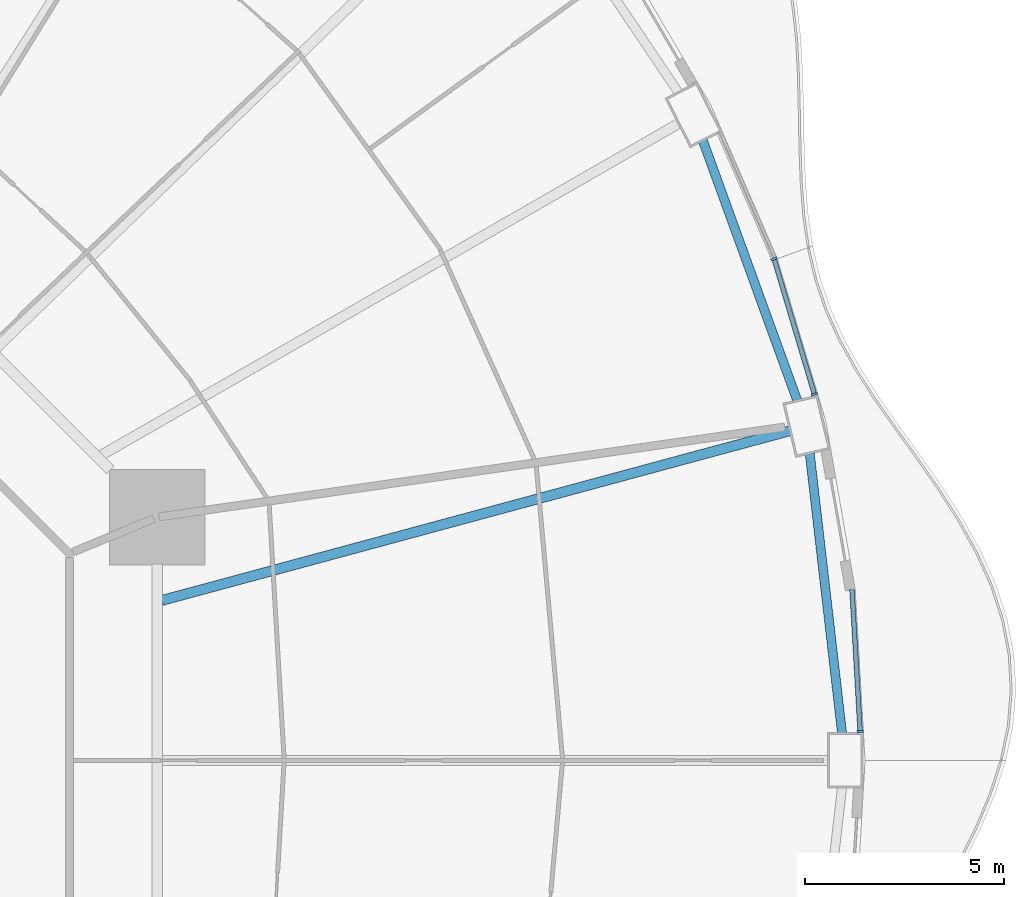
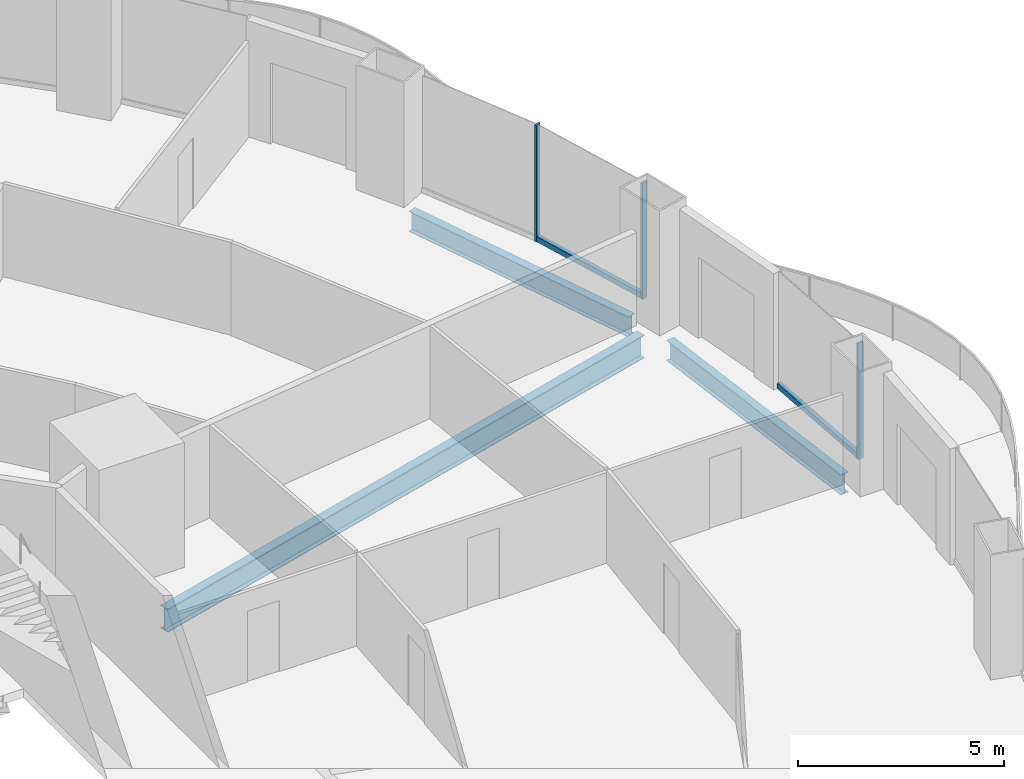
# One storey, part 9 of 22: 5 members, 3 beams, 3 elements without a shape of their own.
"""IFC4 building model written with IfcOpenShell, lengths in metres."""

from ifc_helpers import new_model, si_unit, direction, frame, origin, origin_2d, place, context, subcontext, project, spatial, rectangle, i_section, extrude, material, layer, layer_set, material_profile, profile_set, type_object, element, aggregate, save


model = new_model("IFC4")

# Units and contexts
model_context = context("Model", 3, precision=1e-05, world=origin(), true_north=direction((0.0, 1.0)))
body_context = subcontext(model_context, "Body", "Model", "MODEL_VIEW")
ifc_project = project(units=[si_unit("LENGTHUNIT", "METRE"), si_unit("AREAUNIT", "SQUARE_METRE"), si_unit("VOLUMEUNIT", "CUBIC_METRE"), si_unit("PLANEANGLEUNIT", "RADIAN"), si_unit("MASSUNIT", "GRAM", prefix="KILO")], contexts=[model_context])

# Site, building, storey
site_placement = place(None, origin())
site = spatial("IfcSite", under=ifc_project, at=site_placement, CompositionType="ELEMENT")
building_placement = place(site_placement, origin())
building = spatial("IfcBuilding", under=site, at=building_placement, Name="Nagisa Residences", CompositionType="ELEMENT")
storey_placement = place(building_placement, frame((0.0, 0.0, 52.89990234375)))
storey = spatial("IfcBuildingStorey", under=building, at=storey_placement, Name="L12", CompositionType="ELEMENT", Elevation=52.89990234375)

# Curtain wall, member
ifc_material_1 = material(Name="Concrete-coloured aluminium curtain wall system", Category="concrete")
ifc_layer = layer(ifc_material_1, 0.159912109375)
ifc_layer_set = layer_set([ifc_layer], Name="CW1 CURTAIN WALL")
curtain_wall_type = type_object("IfcCurtainWallType", Name="CW1 CURTAIN WALL", PredefinedType="NOTDEFINED", material=ifc_layer_set)
curtain_wall_1_placement = place(storey_placement, origin())
curtain_wall_1 = element("IfcCurtainWall", 1, at=curtain_wall_1_placement, inside=storey, type_object=curtain_wall_type, Name="cw:CW1:L12:00", PredefinedType="NOTDEFINED")
ifc_material_2 = material(Name="Concrete-coloured aluminium", Category="concrete")
ifc_material_profile_1 = material_profile(ifc_material_2, rectangle(XDim=0.159912109375, YDim=0.06005859375, at=origin_2d()), Name="CW1 MULLION 160x60")
ifc_profile_set_1 = profile_set([ifc_material_profile_1], Name="Concrete-coloured aluminium")
member_type_1 = type_object("IfcMemberType", Name="CW1 MULLION 160x60", PredefinedType="MULLION", material=ifc_profile_set_1)
member_1_placement = place(storey_placement, frame((32.478271484375, 0.72412109375, 0.0), z_axis=(0.0, 0.0, 1.0), x_axis=(-0.998345305184, -0.057503492216, 0.0)))
member_1 = element("IfcMember", 2, at=member_1_placement, type_object=member_type_1, Name="CW1 mullion", PredefinedType="MULLION", context=body_context, shape_type="SweptSolid", body=[
    extrude(rectangle(XDim=0.159912109375, YDim=0.06005859375, at=origin_2d()), origin(), (0.0, 0.0, 1.0), 3.440185546875),
])

curtain_wall_2_placement = place(storey_placement, origin())
curtain_wall_2 = element("IfcCurtainWall", 3, at=curtain_wall_2_placement, inside=storey, type_object=curtain_wall_type, Name="cw:CW1:L12:02", PredefinedType="NOTDEFINED")
member_2_placement = place(storey_placement, frame((31.326416015625, 9.2177734375, 0.0), z_axis=(0.0, 0.0, 1.0), x_axis=(-0.958271310082, -0.285860274038, 0.0)))
member_2 = element("IfcMember", 4, at=member_2_placement, type_object=member_type_1, Name="CW1 mullion", PredefinedType="MULLION", context=body_context, shape_type="SweptSolid", body=[
    extrude(rectangle(XDim=0.159912109375, YDim=0.06005859375, at=origin_2d()), origin(), (0.0, 0.0, 1.0), 3.440185546875),
])

curtain_wall_3_placement = place(storey_placement, origin())
curtain_wall_3 = element("IfcCurtainWall", 5, at=curtain_wall_3_placement, inside=storey, type_object=curtain_wall_type, Name="cw:CW1:L12:03", PredefinedType="NOTDEFINED")
member_3_placement = place(storey_placement, frame((30.30712890625, 12.624267578125, 0.0), z_axis=(0.0, 0.0, 1.0), x_axis=(-0.917543276295, -0.397635934147, 0.0)))
member_3 = element("IfcMember", 6, at=member_3_placement, type_object=member_type_1, Name="CW1 mullion", PredefinedType="MULLION", context=body_context, shape_type="SweptSolid", body=[
    extrude(rectangle(XDim=0.159912109375, YDim=0.06005859375, at=origin_2d()), origin(), (0.0, 0.0, 1.0), 3.440185546875),
])
aggregate(curtain_wall_3, [member_3])

# Member
ifc_material_3 = material(Name="Concrete-coloured aluminium", Category="concrete")
ifc_material_profile_2 = material_profile(ifc_material_3, rectangle(XDim=0.1201171875, YDim=0.14990234375, at=origin_2d()), Name="CW1 TRANSOM 120x150")
ifc_profile_set_2 = profile_set([ifc_material_profile_2], Name="Concrete-coloured aluminium")
member_type_2 = type_object("IfcMemberType", Name="CW1 TRANSOM 120x150", PredefinedType="USERDEFINED", material=ifc_profile_set_2)
member_4_placement = place(storey_placement, frame((32.47998046875, 0.6943359375, 0.0751953125), z_axis=(-0.057549926952, 0.998342629515, 0.0), x_axis=(-0.998342629515, -0.057549926952, 0.0)))
member_4 = element("IfcMember", 7, at=member_4_placement, type_object=member_type_2, Name="CW1 transom", ObjectType="TRANSOM", PredefinedType="USERDEFINED", context=body_context, shape_type="SweptSolid", body=[
    extrude(rectangle(XDim=0.1201171875, YDim=0.14990234375, at=origin_2d()), origin(), (0.0, 0.0, 1.0), 3.614501953125),
])

aggregate(curtain_wall_1, [member_1, member_4])

member_5_placement = place(storey_placement, frame((31.335205078125, 9.18896484375, 0.0751953125), z_axis=(-0.285871309426, 0.958268018065, 0.0), x_axis=(-0.958268018065, -0.285871309426, 0.0)))
member_5 = element("IfcMember", 8, at=member_5_placement, type_object=member_type_2, Name="CW1 transom", ObjectType="TRANSOM", PredefinedType="USERDEFINED", context=body_context, shape_type="SweptSolid", body=[
    extrude(rectangle(XDim=0.1201171875, YDim=0.14990234375, at=origin_2d()), origin(), (0.0, 0.0, 1.0), 3.5654296875),
])

aggregate(curtain_wall_2, [member_2, member_5])

# Beams
ifc_material_4 = material(Name="Steel ASTM A572 Gr 50", Category="steel")
ifc_material_profile_3 = material_profile(ifc_material_4, i_section(OverallWidth=0.22802734375, OverallDepth=0.60302734375, WebThickness=0.010498046875, FlangeThickness=0.014892578125, at=origin_2d()), Name="W610x101")
ifc_profile_set_3 = profile_set([ifc_material_profile_3], Name="Steel ASTM A572 Gr 50")
beam_type_1 = type_object("IfcBeamType", Name="Perimeter ring beam W610x101", PredefinedType="BEAM", material=ifc_profile_set_3)
beam_1_placement = place(storey_placement, frame((32.021484375, 0.68017578125, -0.5615234375), z_axis=(-0.114673717321, 0.993403210462, 0.0), x_axis=(-0.993403210462, -0.114673717321, 0.0)))
element("IfcBeam", 9, at=beam_1_placement, inside=storey, type_object=beam_type_1, Name="beam:L12:pb01", PredefinedType="BEAM", context=body_context, shape_type="SweptSolid", body=[
    extrude(i_section(OverallWidth=0.22802734375, OverallDepth=0.60302734375, WebThickness=0.010498046875, FlangeThickness=0.014892578125, at=origin_2d()), origin(), (0.0, 0.0, 1.0), 7.09814453125),
])
beam_2_placement = place(storey_placement, frame((30.89501953125, 9.055419921875, -0.5615234375), z_axis=(-0.341411143183, 0.939914055279, 0.0), x_axis=(-0.939914055279, -0.341411143183, 0.0)))
element("IfcBeam", 10, at=beam_2_placement, inside=storey, type_object=beam_type_1, Name="beam:L12:pb02", PredefinedType="BEAM", context=body_context, shape_type="SweptSolid", body=[
    extrude(i_section(OverallWidth=0.22802734375, OverallDepth=0.60302734375, WebThickness=0.010498046875, FlangeThickness=0.014892578125, at=origin_2d()), origin(), (0.0, 0.0, 1.0), 6.96923828125),
])
ifc_material_5 = material(Name="Steel ASTM A572 Gr 50", Category="steel")
ifc_material_profile_4 = material_profile(ifc_material_5, i_section(OverallWidth=0.25390625, OverallDepth=0.68408203125, WebThickness=0.012451171875, FlangeThickness=0.018798828125, at=origin_2d()), Name="W690x140")
ifc_profile_set_4 = profile_set([ifc_material_profile_4], Name="Steel ASTM A572 Gr 50")
beam_type_2 = type_object("IfcBeamType", Name="Radial beam W690x140", PredefinedType="BEAM", material=ifc_profile_set_4)
beam_3_placement = place(storey_placement, frame((30.713623046875, 8.29931640625, -0.601806640625), z_axis=(-0.965375968847, -0.260862490162, 0.0), x_axis=(0.260862490162, -0.965375968847, 0.0)))
element("IfcBeam", 11, at=beam_3_placement, inside=storey, type_object=beam_type_2, Name="beam:L12:rb02", PredefinedType="BEAM", context=body_context, shape_type="SweptSolid", body=[
    extrude(i_section(OverallWidth=0.25390625, OverallDepth=0.68408203125, WebThickness=0.012451171875, FlangeThickness=0.018798828125, at=origin_2d()), origin(), (0.0, 0.0, 1.0), 16.3857421875),
])

save(model, "model.ifc")
